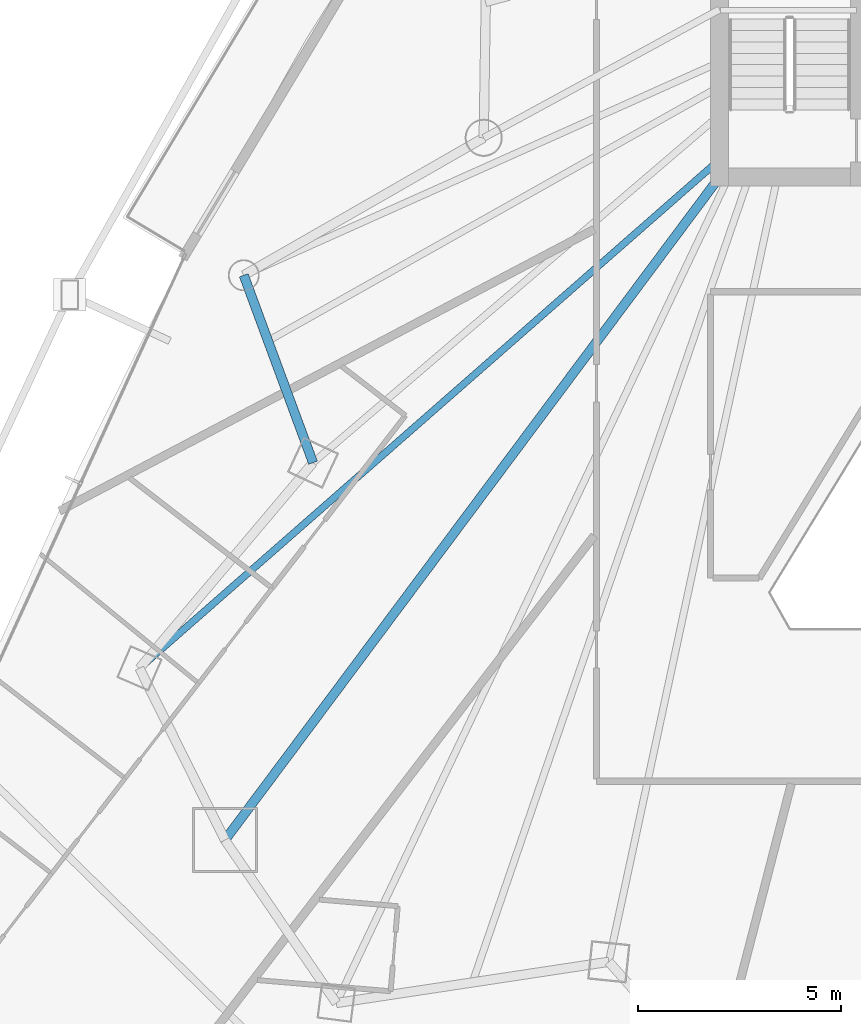
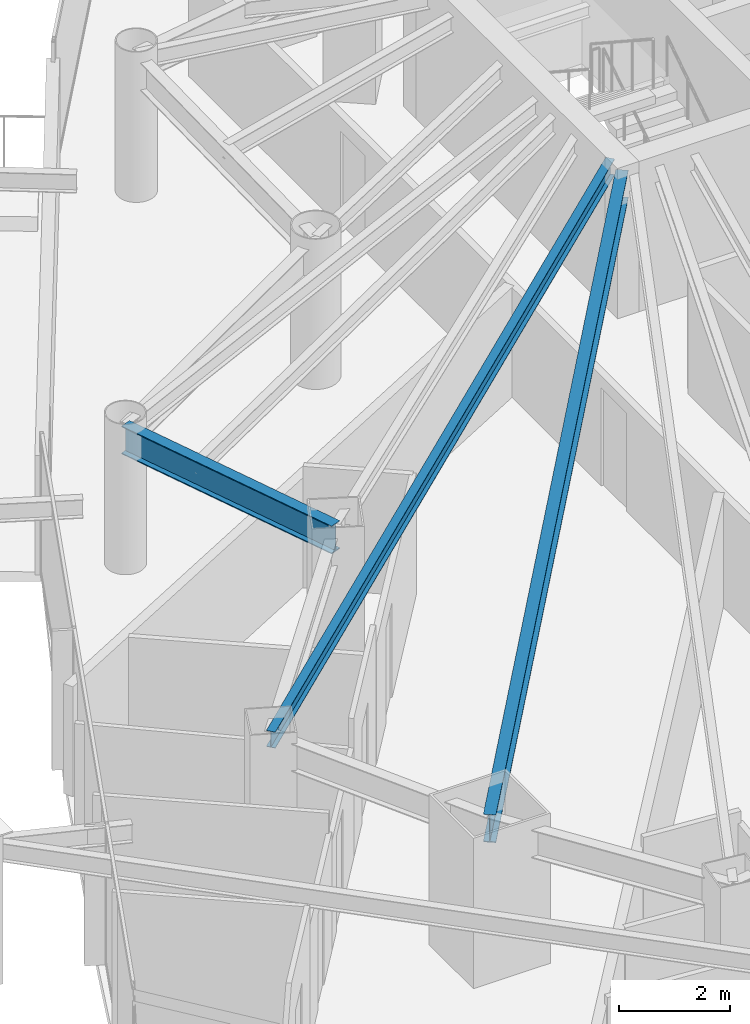
# One storey, part 9 of 34: 3 beams.
"""IFC4 building model written with IfcOpenShell, lengths in metres."""

from ifc_helpers import new_model, si_unit, direction, frame, origin, origin_2d, place, context, subcontext, project, spatial, i_section, extrude, material, material_profile, profile_set, type_object, element, save


model = new_model("IFC4")

# Units and contexts
model_context = context("Model", 3, precision=1e-05, world=origin(), true_north=direction((0.0, 1.0)))
body_context = subcontext(model_context, "Body", "Model", "MODEL_VIEW")
ifc_project = project(units=[si_unit("LENGTHUNIT", "METRE"), si_unit("AREAUNIT", "SQUARE_METRE"), si_unit("VOLUMEUNIT", "CUBIC_METRE"), si_unit("PLANEANGLEUNIT", "RADIAN"), si_unit("MASSUNIT", "GRAM", prefix="KILO")], contexts=[model_context])

# Site, building, storey
site_placement = place(None, origin())
site = spatial("IfcSite", under=ifc_project, at=site_placement, CompositionType="ELEMENT")
building_placement = place(site_placement, origin())
building = spatial("IfcBuilding", under=site, at=building_placement, Name="Orvanel Arch Residences", CompositionType="ELEMENT")
storey_placement = place(building_placement, frame((0.0, 0.0, 80.75)))
storey = spatial("IfcBuildingStorey", under=building, at=storey_placement, Name="L22", CompositionType="ELEMENT", Elevation=80.75)

# Beams
ifc_material = material(Name="Structural steel AS/NZS 3679.1 Grade 300 (300 MPa)", Category="steel")
ifc_material_profile_1 = material_profile(ifc_material, i_section(OverallWidth=0.22900390625, OverallDepth=0.612060546875, WebThickness=0.011962890625, FlangeThickness=0.01953125, at=origin_2d()), Name="610UB125")
ifc_profile_set_1 = profile_set([ifc_material_profile_1], Name="Structural steel AS/NZS 3679.1 Grade 300 (300 MPa)")
beam_type_1 = type_object("IfcBeamType", Name="BG-610UB", PredefinedType="BEAM", material=ifc_profile_set_1)
beam_1_placement = place(storey_placement, frame((26.375, 26.675048828125, 2.75390625), z_axis=(-0.597893733742, -0.801575375839, 0.0), x_axis=(0.801575375839, -0.597893733742, 0.0)))
element("IfcBeam", 1, at=beam_1_placement, inside=storey, type_object=beam_type_1, Name="L22 South-West Radial Girder", PredefinedType="BEAM", context=body_context, shape_type="SweptSolid", body=[
    extrude(i_section(OverallWidth=0.22900390625, OverallDepth=0.612060546875, WebThickness=0.011962890625, FlangeThickness=0.01953125, at=origin_2d()), origin(), (0.0, 0.0, 1.0), 20.36474609375),
])
ifc_material_profile_2 = material_profile(ifc_material, i_section(OverallWidth=0.1708984375, OverallDepth=0.35595703125, WebThickness=0.00732421875, FlangeThickness=0.011474609375, at=origin_2d()), Name="360UB50.7")
ifc_profile_set_2 = profile_set([ifc_material_profile_2], Name="Structural steel AS/NZS 3679.1 Grade 300 (300 MPa)")
beam_type_2 = type_object("IfcBeamType", Name="BJ-360UB", PredefinedType="JOIST", material=ifc_profile_set_2)
beam_2_placement = place(storey_placement, frame((26.375, 27.10009765625, 2.882080078125), z_axis=(-0.751924114057, -0.659249669472, 0.0), x_axis=(0.659249669472, -0.751924114057, 0.0)))
element("IfcBeam", 2, at=beam_2_placement, inside=storey, type_object=beam_type_2, Name="L22 MW Wing Floor Joist", PredefinedType="JOIST", context=body_context, shape_type="SweptSolid", body=[
    extrude(i_section(OverallWidth=0.1708984375, OverallDepth=0.35595703125, WebThickness=0.00732421875, FlangeThickness=0.011474609375, at=origin_2d()), origin(), (0.0, 0.0, 1.0), 18.9912109375),
])
ifc_material_profile_3 = material_profile(ifc_material, i_section(OverallWidth=0.22900390625, OverallDepth=0.612060546875, WebThickness=0.011962890625, FlangeThickness=0.01953125, at=origin_2d()), Name="610UB125")
ifc_profile_set_3 = profile_set([ifc_material_profile_3], Name="Structural steel AS/NZS 3679.1 Grade 300 (300 MPa)")
beam_type_3 = type_object("IfcBeamType", Name="SP-610UB", PredefinedType="SPANDREL", material=ifc_profile_set_3)
beam_3_placement = place(storey_placement, frame((14.662109375, 24.256103515625, 2.75390625), z_axis=(0.346588434017, -0.938017301229, 0.0), x_axis=(0.938017301229, 0.346588434017, 0.0)))
element("IfcBeam", 3, at=beam_3_placement, inside=storey, type_object=beam_type_3, Name="L22 Perimeter Spandrel Beam 22", PredefinedType="SPANDREL", context=body_context, shape_type="SweptSolid", body=[
    extrude(i_section(OverallWidth=0.22900390625, OverallDepth=0.612060546875, WebThickness=0.011962890625, FlangeThickness=0.01953125, at=origin_2d()), origin(), (0.0, 0.0, 1.0), 4.9189453125),
])

save(model, "model.ifc")
